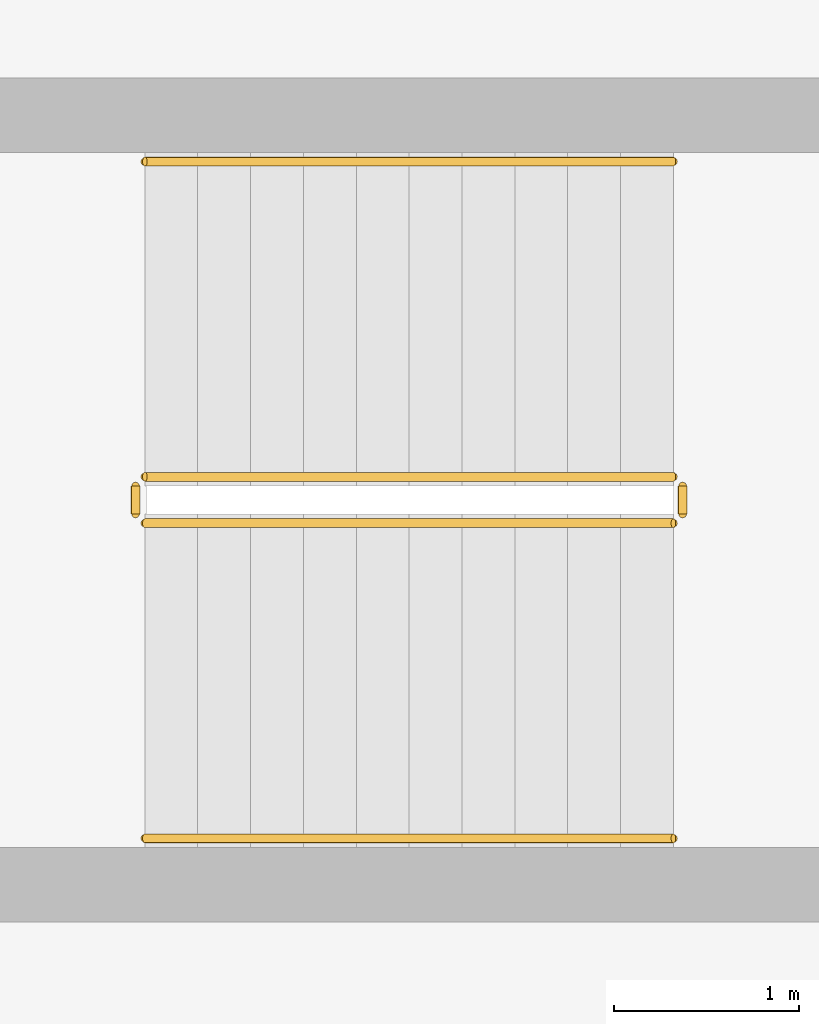
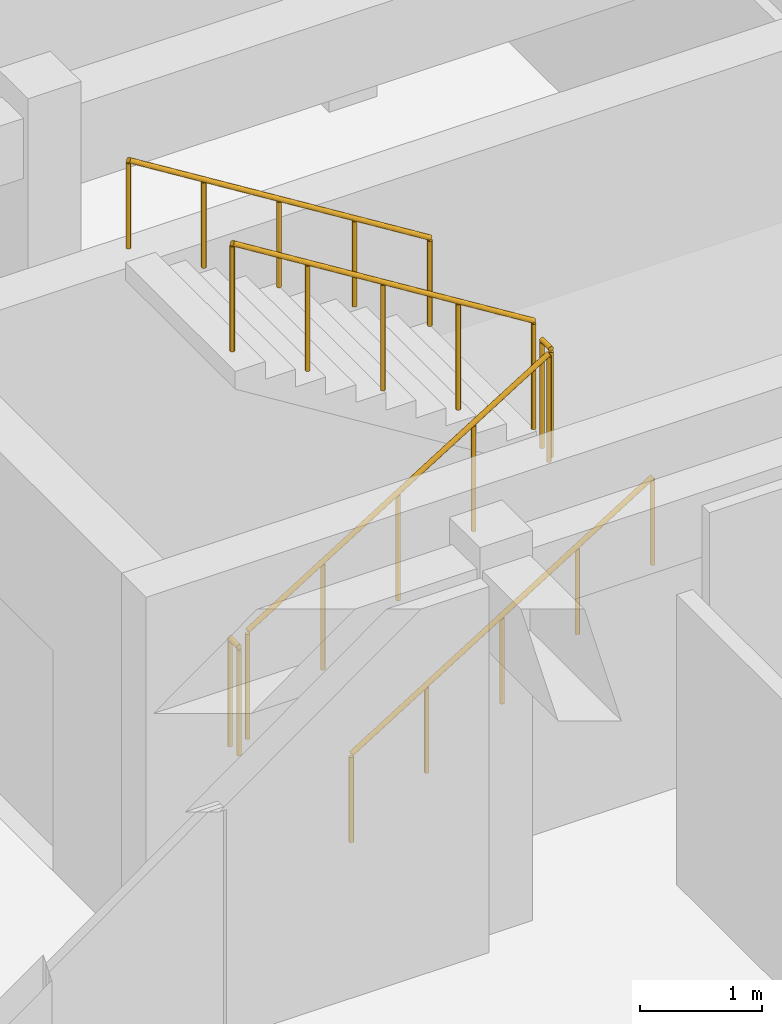
# One storey, part 31 of 32: 6 railings.
"""IFC4 building model written with IfcOpenShell, lengths in metres."""

from ifc_helpers import new_model, si_unit, direction, frame, origin, origin_2d, place, context, subcontext, project, spatial, circle, extrude, material, type_object, element, save


model = new_model("IFC4")

# Units and contexts
model_context = context("Model", 3, precision=1e-05, world=origin(), true_north=direction((0.0, 1.0)))
body_context = subcontext(model_context, "Body", "Model", "MODEL_VIEW")
ifc_project = project(units=[si_unit("LENGTHUNIT", "METRE"), si_unit("AREAUNIT", "SQUARE_METRE"), si_unit("VOLUMEUNIT", "CUBIC_METRE"), si_unit("PLANEANGLEUNIT", "RADIAN"), si_unit("MASSUNIT", "GRAM", prefix="KILO")], contexts=[model_context])

# Site, building, storey
site_placement = place(None, origin())
site = spatial("IfcSite", under=ifc_project, at=site_placement, CompositionType="ELEMENT")
building_placement = place(site_placement, origin())
building = spatial("IfcBuilding", under=site, at=building_placement, Name="Brisavento Harbour Community Centre", CompositionType="ELEMENT")
storey_placement = place(building_placement, frame((0.0, 0.0, 12.89990234375)))
storey = spatial("IfcBuildingStorey", under=building, at=storey_placement, Name="L03", CompositionType="ELEMENT", Elevation=12.89990234375)

# Railings
ifc_material = material(Name="Stainless steel 1.4401", Category="steel")
railing_type_1 = type_object("IfcRailingType", Name="RL-ST-GUARD", PredefinedType="GUARDRAIL", material=ifc_material)
railing_1_placement = place(storey_placement, frame((157.800048828125, 17.949951171875, 0.177490234375)))
element("IfcRailing", 1, at=railing_1_placement, inside=storey, type_object=railing_type_1, Name="L03 ST-05 stair guard 1", PredefinedType="GUARDRAIL", context=body_context, shape_type="SweptSolid", body=[
    extrude(circle(Radius=0.02392578125, at=origin_2d()), frame((0.0, 0.0, 1.076171875), z_axis=(0.849128380713, 0.0, 0.528186513523), x_axis=(0.0, 1.0, 0.0)), (0.0, 0.0, 1.0), 3.356201171875),
    extrude(circle(Radius=0.02099609375, at=origin_2d()), origin(), (0.0, 0.0, 1.0), 1.052001953125),
    extrude(circle(Radius=0.02099609375, at=origin_2d()), frame((0.71240234375, 0.0, 0.443115234375)), (0.0, 0.0, 1.0), 1.052001953125),
    extrude(circle(Radius=0.02099609375, at=origin_2d()), frame((1.4248046875, 0.0, 0.88623046875)), (0.0, 0.0, 1.0), 1.052001953125),
    extrude(circle(Radius=0.02099609375, at=origin_2d()), frame((2.137451171875, 0.0, 1.32958984375)), (0.0, 0.0, 1.0), 1.052001953125),
    extrude(circle(Radius=0.02099609375, at=origin_2d()), frame((2.849853515625, 0.0, 1.772705078125)), (0.0, 0.0, 1.0), 1.052001953125),
])
railing_2_placement = place(storey_placement, frame((160.699951171875, 18.0, 1.9501953125)))
element("IfcRailing", 2, at=railing_2_placement, inside=storey, type_object=railing_type_1, Name="L03 ST-05 stair guard 2", PredefinedType="GUARDRAIL", context=body_context, shape_type="SweptSolid", body=[
    extrude(circle(Radius=0.02392578125, at=origin_2d()), frame((0.0, 0.0, 1.076171875), z_axis=(0.0, 1.0, 0.0), x_axis=(-1.0, 0.0, 0.0)), (0.0, 0.0, 1.0), 0.14990234375),
    extrude(circle(Radius=0.02099609375, at=origin_2d()), origin(), (0.0, 0.0, 1.0), 1.052001953125),
    extrude(circle(Radius=0.02099609375, at=origin_2d()), frame((0.0, 0.14990234375, 0.0)), (0.0, 0.0, 1.0), 1.052001953125),
])
railing_3_placement = place(storey_placement, frame((160.64990234375, 18.199951171875, 2.12744140625)))
element("IfcRailing", 3, at=railing_3_placement, inside=storey, type_object=railing_type_1, Name="L03 ST-05 stair guard 3", PredefinedType="GUARDRAIL", context=body_context, shape_type="SweptSolid", body=[
    extrude(circle(Radius=0.02392578125, at=origin_2d()), frame((0.0, 0.0, 1.076171875), z_axis=(-0.849128380713, 0.0, 0.528186513523), x_axis=(0.0, -1.0, 0.0)), (0.0, 0.0, 1.0), 3.356201171875),
    extrude(circle(Radius=0.02099609375, at=origin_2d()), origin(), (0.0, 0.0, 1.0), 1.052001953125),
    extrude(circle(Radius=0.02099609375, at=origin_2d()), frame((-0.71240234375, 0.0, 0.443115234375)), (0.0, 0.0, 1.0), 1.052001953125),
    extrude(circle(Radius=0.02099609375, at=origin_2d()), frame((-1.4248046875, 0.0, 0.88623046875)), (0.0, 0.0, 1.0), 1.052001953125),
    extrude(circle(Radius=0.02099609375, at=origin_2d()), frame((-2.137451171875, 0.0, 1.32958984375)), (0.0, 0.0, 1.0), 1.052001953125),
    extrude(circle(Radius=0.02099609375, at=origin_2d()), frame((-2.849853515625, 0.0, 1.772705078125)), (0.0, 0.0, 1.0), 1.052001953125),
])
railing_4_placement = place(storey_placement, frame((157.75, 18.0, 0.0)))
element("IfcRailing", 4, at=railing_4_placement, inside=storey, type_object=railing_type_1, Name="L03 ST-05 stair guard 4", PredefinedType="GUARDRAIL", context=body_context, shape_type="SweptSolid", body=[
    extrude(circle(Radius=0.02392578125, at=origin_2d()), frame((0.0, 0.0, 1.076171875), z_axis=(0.0, 1.0, 0.0), x_axis=(-1.0, 0.0, 0.0)), (0.0, 0.0, 1.0), 0.14990234375),
    extrude(circle(Radius=0.02099609375, at=origin_2d()), origin(), (0.0, 0.0, 1.0), 1.052001953125),
    extrude(circle(Radius=0.02099609375, at=origin_2d()), frame((0.0, 0.14990234375, 0.0)), (0.0, 0.0, 1.0), 1.052001953125),
])
railing_type_2 = type_object("IfcRailingType", Name="RL-ST-HAND", PredefinedType="HANDRAIL", material=ifc_material)
railing_5_placement = place(storey_placement, frame((157.800048828125, 16.25, 0.177490234375)))
element("IfcRailing", 5, at=railing_5_placement, inside=storey, type_object=railing_type_2, Name="L03 ST-05 stair handrail 1", PredefinedType="HANDRAIL", context=body_context, shape_type="SweptSolid", body=[
    extrude(circle(Radius=0.02392578125, at=origin_2d()), frame((0.0, 0.0, 0.8759765625), z_axis=(0.849128380713, 0.0, 0.528186513523), x_axis=(0.0, 1.0, 0.0)), (0.0, 0.0, 1.0), 3.356201171875),
    extrude(circle(Radius=0.02099609375, at=origin_2d()), origin(), (0.0, 0.0, 1.0), 0.851806640625),
    extrude(circle(Radius=0.02099609375, at=origin_2d()), frame((0.71240234375, 0.0, 0.443115234375)), (0.0, 0.0, 1.0), 0.851806640625),
    extrude(circle(Radius=0.02099609375, at=origin_2d()), frame((1.4248046875, 0.0, 0.88623046875)), (0.0, 0.0, 1.0), 0.851806640625),
    extrude(circle(Radius=0.02099609375, at=origin_2d()), frame((2.137451171875, 0.0, 1.32958984375)), (0.0, 0.0, 1.0), 0.851806640625),
    extrude(circle(Radius=0.02099609375, at=origin_2d()), frame((2.849853515625, 0.0, 1.772705078125)), (0.0, 0.0, 1.0), 0.851806640625),
])
railing_6_placement = place(storey_placement, frame((160.64990234375, 19.89990234375, 2.12744140625)))
element("IfcRailing", 6, at=railing_6_placement, inside=storey, type_object=railing_type_2, Name="L03 ST-05 stair handrail 2", PredefinedType="HANDRAIL", context=body_context, shape_type="SweptSolid", body=[
    extrude(circle(Radius=0.02392578125, at=origin_2d()), frame((0.0, 0.0, 0.8759765625), z_axis=(-0.849128380713, 0.0, 0.528186513523), x_axis=(0.0, -1.0, 0.0)), (0.0, 0.0, 1.0), 3.356201171875),
    extrude(circle(Radius=0.02099609375, at=origin_2d()), origin(), (0.0, 0.0, 1.0), 0.851806640625),
    extrude(circle(Radius=0.02099609375, at=origin_2d()), frame((-0.71240234375, 0.0, 0.443115234375)), (0.0, 0.0, 1.0), 0.851806640625),
    extrude(circle(Radius=0.02099609375, at=origin_2d()), frame((-1.4248046875, 0.0, 0.88623046875)), (0.0, 0.0, 1.0), 0.851806640625),
    extrude(circle(Radius=0.02099609375, at=origin_2d()), frame((-2.137451171875, 0.0, 1.32958984375)), (0.0, 0.0, 1.0), 0.851806640625),
    extrude(circle(Radius=0.02099609375, at=origin_2d()), frame((-2.849853515625, 0.0, 1.772705078125)), (0.0, 0.0, 1.0), 0.851806640625),
])

save(model, "model.ifc")
